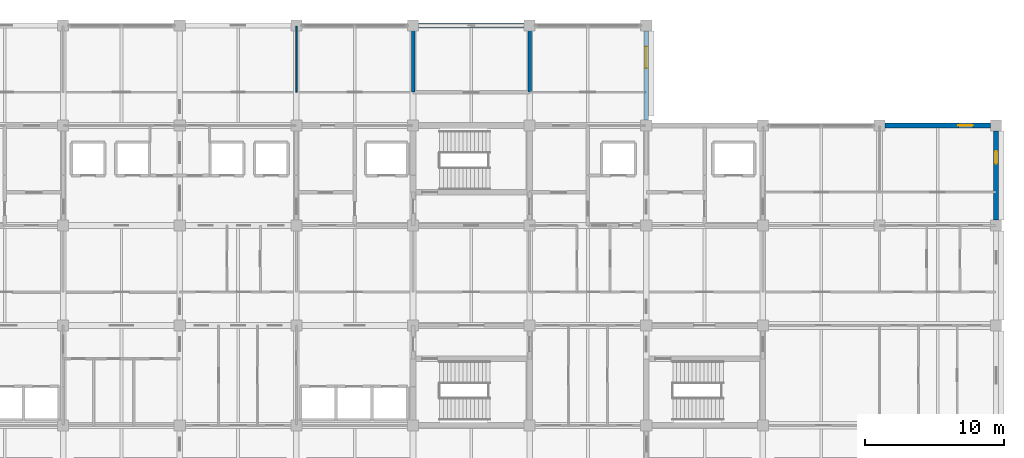
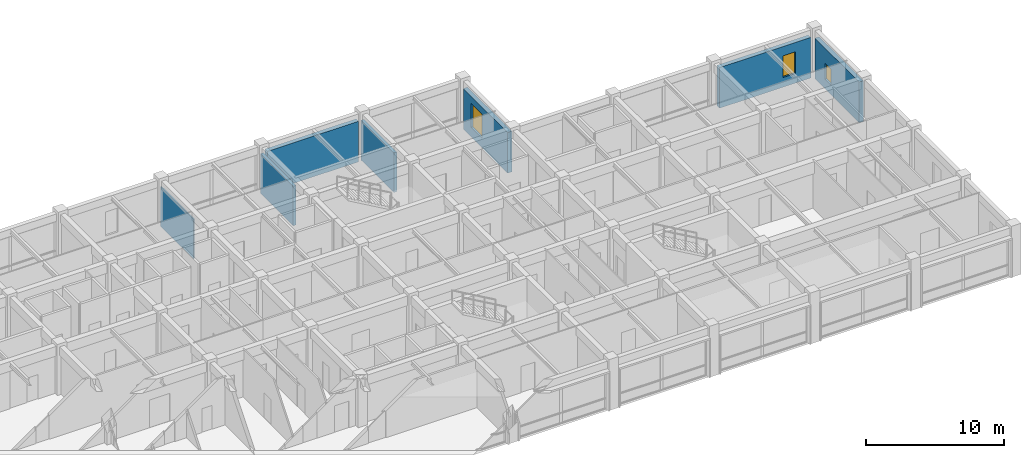
# One storey, part 26 of 30: 7 walls, 3 windows, 3 openings.
"""IFC4 building model written with IfcOpenShell, lengths in metres."""

from ifc_helpers import new_model, si_unit, direction, frame, frame_2d, origin, place, context, subcontext, project, spatial, rectangle, extrude, material, layer, layer_set, type_object, element, fill, save


model = new_model("IFC4")

# Units and contexts
model_context = context("Model", 3, precision=1e-05, world=origin(), true_north=direction((0.0, 1.0)))
body_context = subcontext(model_context, "Body", "Model", "MODEL_VIEW")
ifc_project = project(units=[si_unit("LENGTHUNIT", "METRE"), si_unit("AREAUNIT", "SQUARE_METRE"), si_unit("VOLUMEUNIT", "CUBIC_METRE"), si_unit("PLANEANGLEUNIT", "RADIAN"), si_unit("MASSUNIT", "GRAM", prefix="KILO")], contexts=[model_context])

# Site, building, storey
site_placement = place(None, origin())
site = spatial("IfcSite", under=ifc_project, at=site_placement, CompositionType="ELEMENT")
building_placement = place(site_placement, origin())
building = spatial("IfcBuilding", under=site, at=building_placement, Name="Chengyuan Square Courthouse", CompositionType="ELEMENT")
storey_placement = place(building_placement, frame((0.0, 0.0, 26.10009765625)))
storey = spatial("IfcBuildingStorey", under=building, at=storey_placement, Name="L06", CompositionType="ELEMENT", Elevation=26.10009765625)

# Wall
ifc_material_1 = material(Name="Concrete C40", Category="concrete")
ifc_layer_1 = layer(ifc_material_1, 0.35009765625)
ifc_layer_set_1 = layer_set([ifc_layer_1], Name="Concrete C40")
wall_type_1 = type_object("IfcWallType", Name="WL-EW2", PredefinedType="STANDARD", material=ifc_layer_set_1)
wall_1_placement = place(storey_placement, frame((101.195068359375, 115.199951171875, 0.0), z_axis=(0.0, 0.0, 1.0), x_axis=(1.0, 0.0, 0.0)))
element("IfcWall", 1, at=wall_1_placement, inside=storey, type_object=wall_type_1, Name="Exterior Wall WL-L06-E369", PredefinedType="STANDARD", context=body_context, shape_type="SweptSolid", body=[
    extrude(rectangle(XDim=7.60986328125, YDim=0.35009765625, at=frame_2d((3.804931640625, 0.0))), origin(), (0.0, 0.0, 1.0), 3.58984375),
])

# Wall, opening, window
wall_2_placement = place(storey_placement, frame((117.60009765625, 108.39501953125, 0.0), z_axis=(0.0, 0.0, 1.0), x_axis=(0.0, 1.0, 0.0)))
wall_2 = element("IfcWall", 2, at=wall_2_placement, inside=storey, type_object=wall_type_1, Name="Exterior Wall WL-L06-E370", PredefinedType="STANDARD", context=body_context, shape_type="SweptSolid", body=[
    extrude(rectangle(XDim=6.409912109375, YDim=0.35009765625, at=frame_2d((3.205078125, 0.0))), origin(), (0.0, 0.0, 1.0), 3.58984375),
])
opening_1_placement = place(wall_2_placement, frame((3.72998046875, 0.0, 0.85009765625)))
opening_1 = element("IfcOpeningElement", 3, at=opening_1_placement, cuts=wall_2, Name="Opening WN-133", PredefinedType="OPENING", context=body_context, shape_type="SweptSolid", body=[
    extrude(rectangle(XDim=1.550048828125, YDim=2.1201171875, at=frame_2d((0.77490234375, 1.06005859375))), frame((0.0, 0.18701171875, 0.0), z_axis=(0.0, -1.0, 0.0), x_axis=(1.0, 0.0, 0.0)), (0.0, 0.0, 1.0), 0.3740234375),
])
ifc_material_2 = material(Name="Thermally Broken Aluminium Triple Low-E Window", Category="aluminium")
window_type_1 = type_object("IfcWindowType", Name="WT-30", PartitioningType="SINGLE_PANEL", PredefinedType="WINDOW", material=ifc_material_2)
window_1_placement = place(opening_1_placement, origin())
window_1 = element("IfcWindow", 4, at=window_1_placement, inside=storey, type_object=window_type_1, Name="Facade Window WN-133", OverallHeight=2.1201171875, OverallWidth=1.550048828125, PartitioningType="SINGLE_PANEL", PredefinedType="WINDOW", context=body_context, shape_type="SweptSolid", body=[
    extrude(rectangle(XDim=1.550048828125, YDim=2.1201171875, at=frame_2d((0.77490234375, 1.06005859375))), frame((0.0, 0.030029296875, 0.0), z_axis=(0.0, -1.0, 0.0), x_axis=(1.0, 0.0, 0.0)), (0.0, 0.0, 1.0), 0.06005859375),
])
fill(opening_1, window_1)

wall_3_placement = place(storey_placement, frame((134.794921875, 108.0, 0.0), z_axis=(0.0, 0.0, 1.0), x_axis=(1.0, 0.0, 0.0)))
wall_3 = element("IfcWall", 5, at=wall_3_placement, inside=storey, type_object=wall_type_1, Name="Exterior Wall WL-L06-E375", PredefinedType="STANDARD", context=body_context, shape_type="SweptSolid", body=[
    extrude(rectangle(XDim=7.610107421875, YDim=0.35009765625, at=frame_2d((3.80517578125, 0.0))), origin(), (0.0, 0.0, 1.0), 3.58984375),
])
opening_2_placement = place(wall_3_placement, frame((5.280029296875, 0.0, 0.85009765625)))
opening_2 = element("IfcOpeningElement", 6, at=opening_2_placement, cuts=wall_3, Name="Opening WN-137", PredefinedType="OPENING", context=body_context, shape_type="SweptSolid", body=[
    extrude(rectangle(XDim=1.050048828125, YDim=1.919921875, at=frame_2d((0.52490234375, 0.9599609375))), frame((0.0, 0.18701171875, 0.0), z_axis=(0.0, -1.0, 0.0), x_axis=(1.0, 0.0, 0.0)), (0.0, 0.0, 1.0), 0.3740234375),
])
window_type_2 = type_object("IfcWindowType", Name="WT-11", PartitioningType="SINGLE_PANEL", PredefinedType="WINDOW", material=ifc_material_2)
window_2_placement = place(opening_2_placement, origin())
window_2 = element("IfcWindow", 7, at=window_2_placement, inside=storey, type_object=window_type_2, Name="Facade Window WN-137", OverallHeight=1.919921875, OverallWidth=1.050048828125, PartitioningType="SINGLE_PANEL", PredefinedType="WINDOW", context=body_context, shape_type="SweptSolid", body=[
    extrude(rectangle(XDim=1.050048828125, YDim=1.919921875, at=frame_2d((0.52490234375, 0.9599609375))), frame((0.0, 0.030029296875, 0.0), z_axis=(0.0, -1.0, 0.0), x_axis=(1.0, 0.0, 0.0)), (0.0, 0.0, 1.0), 0.06005859375),
])
fill(opening_2, window_2)

wall_4_placement = place(storey_placement, frame((142.800048828125, 101.195068359375, 0.0), z_axis=(0.0, 0.0, 1.0), x_axis=(0.0, 1.0, 0.0)))
wall_4 = element("IfcWall", 8, at=wall_4_placement, inside=storey, type_object=wall_type_1, Name="Exterior Wall WL-L06-E376", PredefinedType="STANDARD", context=body_context, shape_type="SweptSolid", body=[
    extrude(rectangle(XDim=6.409912109375, YDim=0.35009765625, at=frame_2d((3.205078125, 0.0))), origin(), (0.0, 0.0, 1.0), 3.58984375),
])
opening_3_placement = place(wall_4_placement, frame((4.054931640625, 0.0, 0.85009765625)))
opening_3 = element("IfcOpeningElement", 9, at=opening_3_placement, cuts=wall_4, Name="Opening WN-138", PredefinedType="OPENING", context=body_context, shape_type="SweptSolid", body=[
    extrude(rectangle(XDim=0.89990234375, YDim=1.3798828125, at=frame_2d((0.449951171875, 0.68994140625))), frame((0.0, 0.18701171875, 0.0), z_axis=(0.0, -1.0, 0.0), x_axis=(1.0, 0.0, 0.0)), (0.0, 0.0, 1.0), 0.3740234375),
])
window_type_3 = type_object("IfcWindowType", Name="WT-02", PartitioningType="SINGLE_PANEL", PredefinedType="WINDOW", material=ifc_material_2)
window_3_placement = place(opening_3_placement, origin())
window_3 = element("IfcWindow", 10, at=window_3_placement, inside=storey, type_object=window_type_3, Name="Facade Window WN-138", OverallHeight=1.3798828125, OverallWidth=0.89990234375, PartitioningType="SINGLE_PANEL", PredefinedType="WINDOW", context=body_context, shape_type="SweptSolid", body=[
    extrude(rectangle(XDim=0.89990234375, YDim=1.3798828125, at=frame_2d((0.449951171875, 0.68994140625))), frame((0.0, 0.030029296875, 0.0), z_axis=(0.0, -1.0, 0.0), x_axis=(1.0, 0.0, 0.0)), (0.0, 0.0, 1.0), 0.06005859375),
])
fill(opening_3, window_3)

# Walls
ifc_layer_2 = layer(ifc_material_1, 0.25)
ifc_layer_set_2 = layer_set([ifc_layer_2], Name="Concrete C40")
wall_type_2 = type_object("IfcWallType", Name="WL-FW1", PredefinedType="STANDARD", material=ifc_layer_set_2)
for number, where, z_axis, x_axis, name in (
    (11, (100.800048828125, 110.39990234375, 0.0), (0.0, 0.0, 1.0), (0.0, 1.0, 0.0), "Interior Wall WL-L06-I2579"),
    (12, (109.199951171875, 110.39990234375, 0.0), (0.0, 0.0, 1.0), (0.0, 1.0, 0.0), "Interior Wall WL-L06-I2586"),
):
    element("IfcWall", number, at=place(storey_placement, frame(where, z_axis=z_axis, x_axis=x_axis)), inside=storey, type_object=wall_type_2, Name=name, PredefinedType="STANDARD", context=body_context, shape_type="SweptSolid", body=[
        extrude(rectangle(XDim=4.760009765625, YDim=0.25, at=frame_2d((2.3798828125, 0.0))), origin(), (0.0, 0.0, 1.0), 3.489990234375),
    ])
ifc_material_3 = material(Name="Gypsum Plasterboard Acoustic Stud Partition")
ifc_layer_3 = layer(ifc_material_3, 0.10009765625)
ifc_layer_set_3 = layer_set([ifc_layer_3], Name="Gypsum Plasterboard Acoustic Stud Partition")
wall_type_3 = type_object("IfcWallType", Name="WL-PT6", PredefinedType="STANDARD", material=ifc_layer_set_3)
wall_5_placement = place(storey_placement, frame((92.39990234375, 110.39990234375, 0.0), z_axis=(0.0, 0.0, 1.0), x_axis=(0.0, 1.0, 0.0)))
element("IfcWall", 13, at=wall_5_placement, inside=storey, type_object=wall_type_3, Name="Interior Wall WL-L06-I2562", PredefinedType="STANDARD", context=body_context, shape_type="SweptSolid", body=[
    extrude(rectangle(XDim=4.760009765625, YDim=0.10009765625, at=frame_2d((2.3798828125, 0.0))), origin(), (0.0, 0.0, 1.0), 3.489990234375),
])

save(model, "model.ifc")
